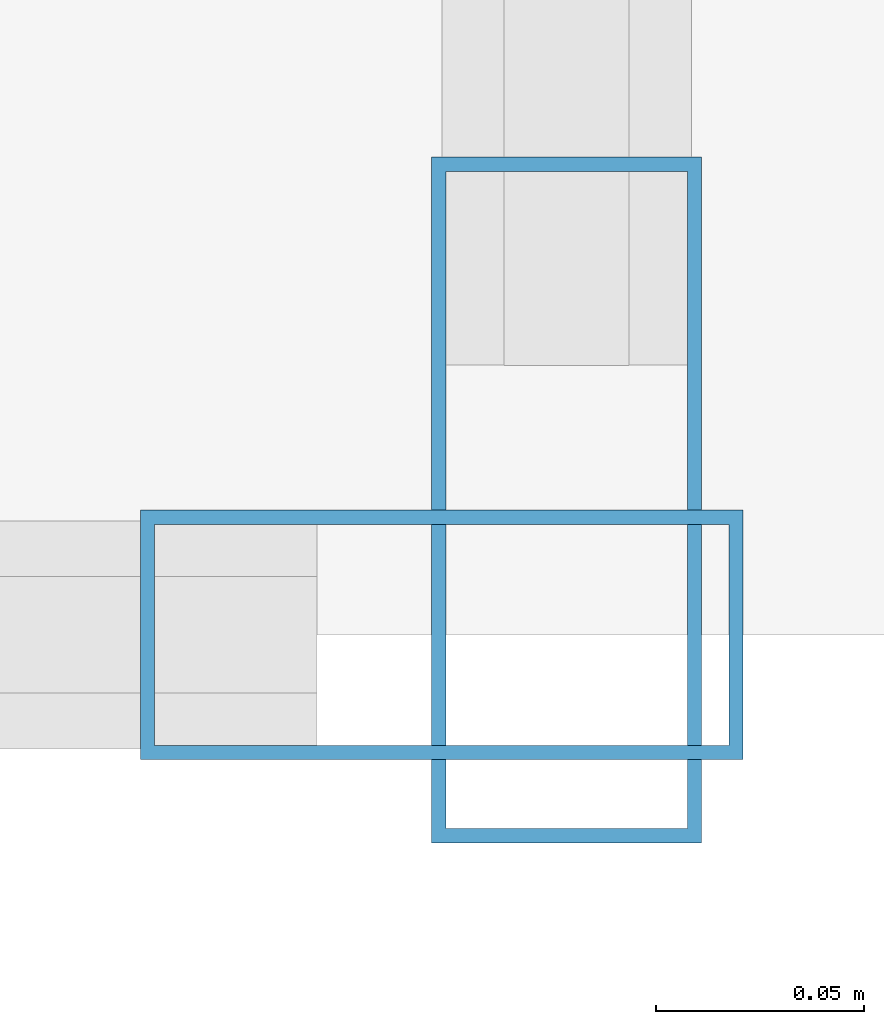
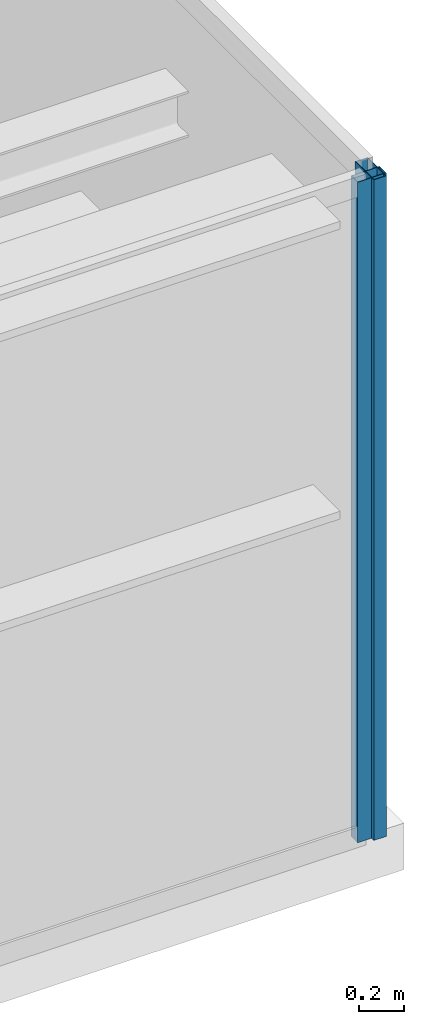
# One storey, part 14 of 23: 2 members, 2 elements without a shape of their own.
"""IFC4 building model written with IfcOpenShell, lengths in metres."""

from ifc_helpers import new_model, si_unit, direction, frame, origin, origin_2d, place, context, subcontext, project, spatial, hollow_rectangle, extrude, source, transform, mapped, material, layer, layer_set, material_profile, profile_set, type_object, type_shapes, element, aggregate, save


model = new_model("IFC4")

# Units and contexts
model_context = context("Model", 3, precision=1e-05, world=origin(), true_north=direction((0.0, 1.0)))
body_context = subcontext(model_context, "Body", "Model", "MODEL_VIEW")
ifc_project = project(units=[si_unit("LENGTHUNIT", "METRE"), si_unit("AREAUNIT", "SQUARE_METRE"), si_unit("VOLUMEUNIT", "CUBIC_METRE"), si_unit("PLANEANGLEUNIT", "RADIAN"), si_unit("MASSUNIT", "GRAM", prefix="KILO")], contexts=[model_context])

# Site, building, storey
site_placement = place(None, origin())
site = spatial("IfcSite", under=ifc_project, at=site_placement, CompositionType="ELEMENT")
building_placement = place(site_placement, origin())
building = spatial("IfcBuilding", under=site, at=building_placement, Name="Varnel Quay Broadcast Tower", CompositionType="ELEMENT")
storey_placement = place(building_placement, frame((0.0, 0.0, 254.60009765625)))
storey = spatial("IfcBuildingStorey", under=building, at=storey_placement, Name="L63", CompositionType="ELEMENT", Elevation=254.60009765625)

# Curtain wall, member
ifc_material = material(Name="Anodised Bronze Aluminium 6063-T6", Category="aluminium")
ifc_layer_1 = layer(ifc_material, 0.18994140625, Name="Anodised Bronze Aluminium 6063-T6")
ifc_layer_set_1 = layer_set([ifc_layer_1], Name="Anodised Bronze Aluminium 6063-T6")
curtain_wall_type_1 = type_object("IfcCurtainWallType", Name="CW_NotchCorner", PredefinedType="NOTDEFINED", material=ifc_layer_set_1)
curtain_wall_1_placement = place(storey_placement, origin())
curtain_wall_1 = element("IfcCurtainWall", 1, at=curtain_wall_1_placement, inside=storey, type_object=curtain_wall_type_1, Name="L63 SE Notch Curtain Wall", PredefinedType="NOTDEFINED")
ifc_material_profile_1 = material_profile(ifc_material, hollow_rectangle(XDim=0.06005859375, YDim=0.14501953125, WallThickness=0.00341796875, at=origin_2d()), Name="ALU60X145X3.5")
ifc_profile_set_1 = profile_set([ifc_material_profile_1], Name="Anodised Bronze Aluminium 6063-T6")
member_type_1 = type_object("IfcMemberType", Name="Mull_CWS-04", PredefinedType="MULLION", material=ifc_profile_set_1)
shared_shape_1 = source(origin(), body_context, "Body", "SweptSolid", [
    extrude(hollow_rectangle(XDim=0.06005859375, YDim=0.14501953125, WallThickness=0.00341796875, at=origin_2d()), origin(), (0.0, 0.0, 1.0), 3.5498046875),
])
type_shapes(member_type_1, [shared_shape_1])
member_1_placement = place(storey_placement, frame((58.320068359375, 13.60009765625, 0.0), z_axis=(0.0, 0.0, 1.0), x_axis=(0.0, 1.0, 0.0)))
member_1 = element("IfcMember", 2, at=member_1_placement, type_object=member_type_1, Name="CWS-04 mullion 2", PredefinedType="MULLION", context=body_context, shape_type="MappedRepresentation", body=[
    mapped(shared_shape_1, transform((0.0, 0.0, 0.0), x_axis=(1.0, 0.0, 0.0), y_axis=(0.0, 1.0, 0.0), z_axis=(0.0, 0.0, 1.0), scale=1.0)),
])
aggregate(curtain_wall_1, [member_1])

ifc_layer_2 = layer(ifc_material, 0.18994140625, Name="Anodised Bronze Aluminium 6063-T6")
ifc_layer_set_2 = layer_set([ifc_layer_2], Name="Anodised Bronze Aluminium 6063-T6")
curtain_wall_type_2 = type_object("IfcCurtainWallType", Name="CW_UpperTower", PredefinedType="NOTDEFINED", material=ifc_layer_set_2)
curtain_wall_2_placement = place(storey_placement, origin())
curtain_wall_2 = element("IfcCurtainWall", 3, at=curtain_wall_2_placement, inside=storey, type_object=curtain_wall_type_2, Name="L63 East Unitised Curtain Wall", PredefinedType="NOTDEFINED")
ifc_material_profile_2 = material_profile(ifc_material, hollow_rectangle(XDim=0.06494140625, YDim=0.1650390625, WallThickness=0.00341796875, at=origin_2d()), Name="ALU65X165X3.5")
ifc_profile_set_2 = profile_set([ifc_material_profile_2], Name="Anodised Bronze Aluminium 6063-T6")
member_type_2 = type_object("IfcMemberType", Name="Mull_CWS-03", PredefinedType="MULLION", material=ifc_profile_set_2)
shared_shape_2 = source(origin(), body_context, "Body", "SweptSolid", [
    extrude(hollow_rectangle(XDim=0.06494140625, YDim=0.1650390625, WallThickness=0.00341796875, at=origin_2d()), origin(), (0.0, 0.0, 1.0), 3.5498046875),
])
type_shapes(member_type_2, [shared_shape_2])
member_2_placement = place(storey_placement, frame((58.35009765625, 13.632568359375, 0.0), z_axis=(0.0, 0.0, 1.0), x_axis=(-1.0, 0.0, 0.0)))
member_2 = element("IfcMember", 4, at=member_2_placement, type_object=member_type_2, Name="CWS-03 mullion 1", PredefinedType="MULLION", context=body_context, shape_type="MappedRepresentation", body=[
    mapped(shared_shape_2, transform((0.0, 0.0, 0.0), x_axis=(1.0, 0.0, 0.0), y_axis=(0.0, 1.0, 0.0), z_axis=(0.0, 0.0, 1.0), scale=1.0)),
])
aggregate(curtain_wall_2, [member_2])

save(model, "model.ifc")
